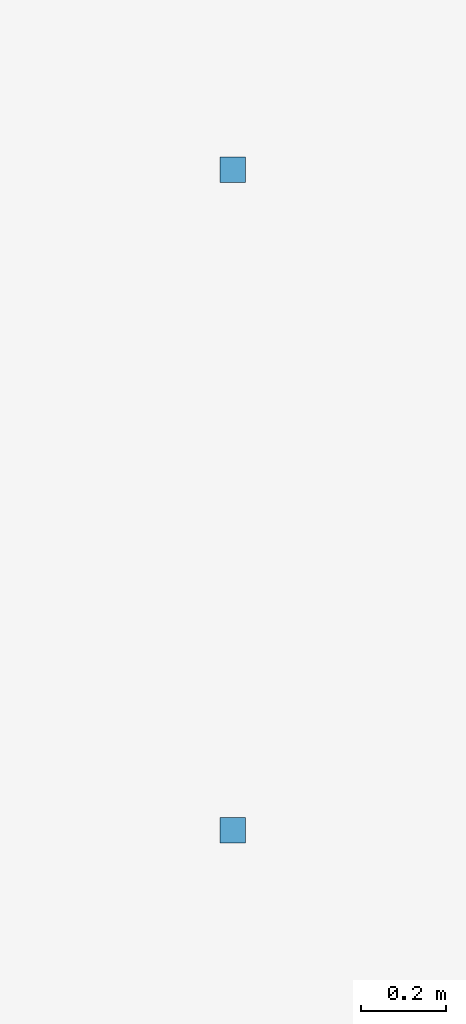
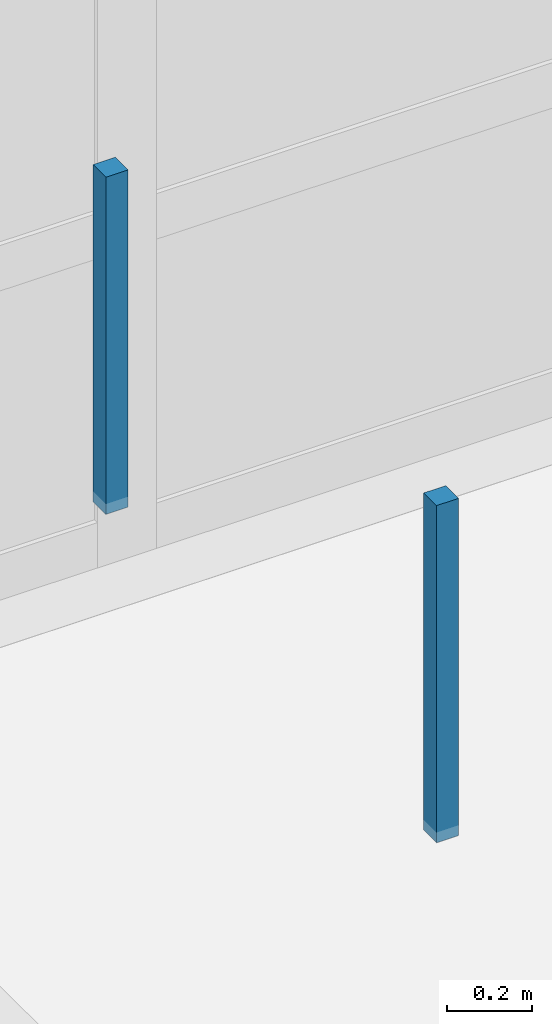
# One storey, part 77 of 128: 2 discrete accessories.
"""IFC4 building model written with IfcOpenShell, lengths in metres."""

from ifc_helpers import new_model, si_unit, direction, frame, origin, origin_2d, place, context, subcontext, project, spatial, rectangle, extrude, material, type_object, element, save


model = new_model("IFC4")

# Units and contexts
model_context = context("Model", 3, precision=1e-05, world=origin(), true_north=direction((0.0, 1.0)))
body_context = subcontext(model_context, "Body", "Model", "MODEL_VIEW")
ifc_project = project(units=[si_unit("LENGTHUNIT", "METRE"), si_unit("AREAUNIT", "SQUARE_METRE"), si_unit("VOLUMEUNIT", "CUBIC_METRE"), si_unit("PLANEANGLEUNIT", "RADIAN"), si_unit("MASSUNIT", "GRAM", prefix="KILO")], contexts=[model_context])

# Site, building, storey
site_placement = place(None, origin())
site = spatial("IfcSite", under=ifc_project, at=site_placement, CompositionType="ELEMENT")
building_placement = place(site_placement, origin())
building = spatial("IfcBuilding", under=site, at=building_placement, Name="Telukmera Botanical Conservatory", CompositionType="ELEMENT")
storey_placement = place(building_placement, frame((0.0, 0.0, 5.39990234375)))
storey = spatial("IfcBuildingStorey", under=building, at=storey_placement, Name="L01", CompositionType="ELEMENT", Elevation=5.39990234375)

# Discrete accessories
ifc_material = material(Name="Steel S355", Category="steel")
discrete_accessory_type = type_object("IfcDiscreteAccessoryType", Name="ACC-CEIL-HGR", PredefinedType="BRACKET", material=ifc_material)
for number, where, z_axis, x_axis, name in (
    (1, (28.174072265625, 68.949951171875, 3.6201171875), (0.0, 0.0, 1.0), (1.0, 0.0, 0.0), "L01 Suspended Ceiling Hanger Rod 015-1"),
    (2, (28.174072265625, 70.5, 3.6201171875), (0.0, 0.0, 1.0), (1.0, 0.0, 0.0), "L01 Suspended Ceiling Hanger Rod 015-2"),
):
    element("IfcDiscreteAccessory", number, at=place(storey_placement, frame(where, z_axis=z_axis, x_axis=x_axis)), inside=storey, type_object=discrete_accessory_type, Name=name, PredefinedType="BRACKET", context=body_context, shape_type="SweptSolid", body=[
        extrude(rectangle(XDim=0.06005859375, YDim=0.06005859375, at=origin_2d()), origin(), (0.0, 0.0, 1.0), 0.965087890625),
    ])

save(model, "model.ifc")
